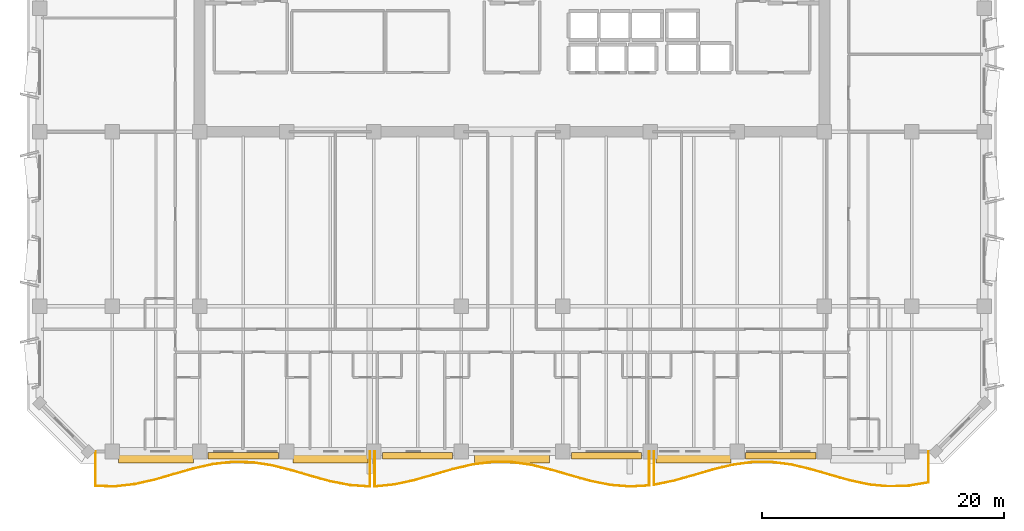
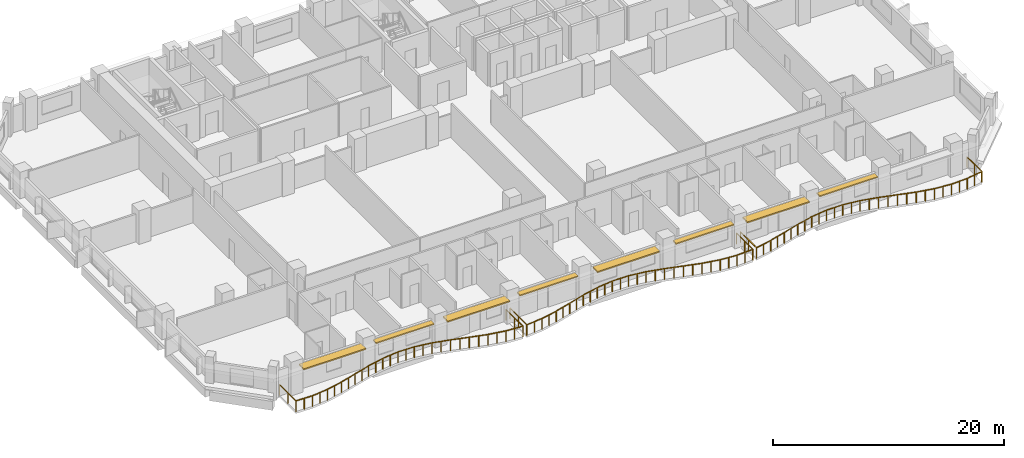
# One storey, part 11 of 15: 8 shading devices, 3 railings.
"""IFC4 building model written with IfcOpenShell, lengths in metres."""

from ifc_helpers import new_model, si_unit, direction, frame, origin, origin_2d, place, context, subcontext, project, spatial, rectangle, extrude, material, layer, layer_set, type_object, element, save


model = new_model("IFC4")

# Units and contexts
model_context = context("Model", 3, precision=1e-05, world=origin(), true_north=direction((0.0, 1.0)))
body_context = subcontext(model_context, "Body", "Model", "MODEL_VIEW")
ifc_project = project(units=[si_unit("LENGTHUNIT", "METRE"), si_unit("AREAUNIT", "SQUARE_METRE"), si_unit("VOLUMEUNIT", "CUBIC_METRE"), si_unit("PLANEANGLEUNIT", "RADIAN"), si_unit("MASSUNIT", "GRAM", prefix="KILO")], contexts=[model_context])

# Site, building, storey
site_placement = place(None, origin())
site = spatial("IfcSite", under=ifc_project, at=site_placement, CompositionType="ELEMENT")
building_placement = place(site_placement, origin())
building = spatial("IfcBuilding", under=site, at=building_placement, Name="Kaelvorn Grand Hotel", CompositionType="ELEMENT")
storey_placement = place(building_placement, frame((0.0, 0.0, 139.14990234375)))
storey = spatial("IfcBuildingStorey", under=building, at=storey_placement, Name="L33", CompositionType="ELEMENT", Elevation=139.14990234375)

# Railings
ifc_material_1 = material(Name="Stainless Steel", Category="steel")
railing_type = type_object("IfcRailingType", Name="RL-BALC-1150", PredefinedType="BALUSTRADE", material=ifc_material_1)
railing_1_placement = place(storey_placement, frame((7.60009765625, 3.0, 0.0)))
element("IfcRailing", 1, at=railing_1_placement, inside=storey, type_object=railing_type, Name="L33 Scalloped Wave Balcony Balustrade GR1-1", PredefinedType="BALUSTRADE", context=body_context, shape_type="SweptSolid", body=[
    extrude(rectangle(XDim=0.048095703125, YDim=0.048095703125, at=origin_2d()), frame((0.0, 0.0, 1.1259765625), z_axis=(0.0, -1.0, 0.0), x_axis=(1.0, 0.0, 0.0)), (0.0, 0.0, 1.0), 2.849853515625),
    extrude(rectangle(XDim=0.048095703125, YDim=0.048095703125, at=origin_2d()), frame((0.0, -2.849853515625, 1.1259765625), z_axis=(0.999730426156, -0.023217989086, 0.0), x_axis=(0.023217989086, 0.999730426156, 0.0)), (0.0, 0.0, 1.0), 1.619384765625),
    extrude(rectangle(XDim=0.048095703125, YDim=0.048095703125, at=origin_2d()), frame((1.618896484375, -2.887451171875, 1.1259765625), z_axis=(0.993682951912, 0.112223843634, 0.0), x_axis=(-0.112223843634, 0.993682951912, 0.0)), (0.0, 0.0, 1.0), 1.62939453125),
    extrude(rectangle(XDim=0.048095703125, YDim=0.048095703125, at=origin_2d()), frame((3.238037109375, -2.70458984375, 1.1259765625), z_axis=(0.975703414812, 0.219095518723, 0.0), x_axis=(-0.219095518723, 0.975703414812, 0.0)), (0.0, 0.0, 1.0), 1.6591796875),
    extrude(rectangle(XDim=0.048095703125, YDim=0.048095703125, at=origin_2d()), frame((4.85693359375, -2.341064453125, 1.1259765625), z_axis=(0.961173148549, 0.275945970271, 0.0), x_axis=(-0.275945970271, 0.961173148549, 0.0)), (0.0, 0.0, 1.0), 1.6845703125),
    extrude(rectangle(XDim=0.048095703125, YDim=0.048095703125, at=origin_2d()), frame((6.47607421875, -1.876220703125, 1.1259765625), z_axis=(0.961096237506, 0.276213725676, 0.0), x_axis=(-0.276213725676, 0.961096237506, 0.0)), (0.0, 0.0, 1.0), 1.6845703125),
    extrude(rectangle(XDim=0.048095703125, YDim=0.048095703125, at=origin_2d()), frame((8.09521484375, -1.410888671875, 1.1259765625), z_axis=(0.975640468592, 0.219375650531, 0.0), x_axis=(-0.219375650531, 0.975640468592, 0.0)), (0.0, 0.0, 1.0), 1.659423828125),
    extrude(rectangle(XDim=0.048095703125, YDim=0.048095703125, at=origin_2d()), frame((9.714111328125, -1.046875, 1.1259765625), z_axis=(0.993615946407, 0.112815562069, 0.0), x_axis=(-0.112815562069, 0.993615946407, 0.0)), (0.0, 0.0, 1.0), 1.629638671875),
    extrude(rectangle(XDim=0.048095703125, YDim=0.048095703125, at=origin_2d()), frame((11.333251953125, -0.863037109375, 1.1259765625), z_axis=(0.999747716334, -0.022461159489, 0.0), x_axis=(0.022461159489, 0.999747716334, 0.0)), (0.0, 0.0, 1.0), 1.61962890625),
    extrude(rectangle(XDim=0.048095703125, YDim=0.048095703125, at=origin_2d()), frame((12.952392578125, -0.8994140625, 1.1259765625), z_axis=(0.988375143725, -0.152034783079, 0.0), x_axis=(0.152034783079, 0.988375143725, 0.0)), (0.0, 0.0, 1.0), 1.637939453125),
    extrude(rectangle(XDim=0.048095703125, YDim=0.048095703125, at=origin_2d()), frame((14.5712890625, -1.1484375, 1.1259765625), z_axis=(0.969797453299, -0.243911663465, 0.0), x_axis=(0.243911663465, 0.969797453299, 0.0)), (0.0, 0.0, 1.0), 1.669677734375),
    extrude(rectangle(XDim=0.048095703125, YDim=0.048095703125, at=origin_2d()), frame((16.1904296875, -1.5556640625, 1.1259765625), z_axis=(0.959298669037, -0.28239345528, 0.0), x_axis=(0.28239345528, 0.959298669037, 0.0)), (0.0, 0.0, 1.0), 1.6875),
    extrude(rectangle(XDim=0.048095703125, YDim=0.048095703125, at=origin_2d()), frame((17.809326171875, -2.0322265625, 1.1259765625), z_axis=(0.964642881797, -0.26356044961, 0.0), x_axis=(0.26356044961, 0.964642881797, 0.0)), (0.0, 0.0, 1.0), 1.678466796875),
    extrude(rectangle(XDim=0.048095703125, YDim=0.048095703125, at=origin_2d()), frame((19.428466796875, -2.474609375, 1.1259765625), z_axis=(0.981934563665, -0.189220804036, 0.0), x_axis=(0.189220804036, 0.981934563665, 0.0)), (0.0, 0.0, 1.0), 1.64892578125),
    extrude(rectangle(XDim=0.048095703125, YDim=0.048095703125, at=origin_2d()), frame((21.047607421875, -2.78662109375, 1.1259765625), z_axis=(0.997560748311, -0.069803677758, 0.0), x_axis=(0.069803677758, 0.997560748311, 0.0)), (0.0, 0.0, 1.0), 1.622802734375),
    extrude(rectangle(XDim=0.048095703125, YDim=0.048095703125, at=origin_2d()), frame((22.66650390625, -2.89990234375, 1.1259765625), z_axis=(0.0, 1.0, 0.0), x_axis=(-1.0, 0.0, 0.0)), (0.0, 0.0, 1.0), 2.89990234375),
    extrude(rectangle(XDim=0.0419921875, YDim=0.0419921875, at=origin_2d()), origin(), (0.0, 0.0, 1.0), 1.101806640625),
    extrude(rectangle(XDim=0.0419921875, YDim=0.0419921875, at=origin_2d()), frame((0.0, -1.4248046875, 0.0)), (0.0, 0.0, 1.0), 1.101806640625),
    extrude(rectangle(XDim=0.0419921875, YDim=0.0419921875, at=origin_2d()), frame((0.0, -2.849853515625, 0.0)), (0.0, 0.0, 1.0), 1.101806640625),
    extrude(rectangle(XDim=0.0419921875, YDim=0.0419921875, at=origin_2d()), frame((0.8095703125, -2.86865234375, 0.0)), (0.0, 0.0, 1.0), 1.101806640625),
    extrude(rectangle(XDim=0.0419921875, YDim=0.0419921875, at=origin_2d()), frame((1.618896484375, -2.887451171875, 0.0)), (0.0, 0.0, 1.0), 1.101806640625),
    extrude(rectangle(XDim=0.0419921875, YDim=0.0419921875, at=origin_2d()), frame((2.428466796875, -2.7958984375, 0.0)), (0.0, 0.0, 1.0), 1.101806640625),
    extrude(rectangle(XDim=0.0419921875, YDim=0.0419921875, at=origin_2d()), frame((3.238037109375, -2.70458984375, 0.0)), (0.0, 0.0, 1.0), 1.101806640625),
    extrude(rectangle(XDim=0.0419921875, YDim=0.0419921875, at=origin_2d()), frame((4.04736328125, -2.52294921875, 0.0)), (0.0, 0.0, 1.0), 1.101806640625),
    extrude(rectangle(XDim=0.0419921875, YDim=0.0419921875, at=origin_2d()), frame((4.85693359375, -2.341064453125, 0.0)), (0.0, 0.0, 1.0), 1.101806640625),
    extrude(rectangle(XDim=0.0419921875, YDim=0.0419921875, at=origin_2d()), frame((5.66650390625, -2.108642578125, 0.0)), (0.0, 0.0, 1.0), 1.101806640625),
    extrude(rectangle(XDim=0.0419921875, YDim=0.0419921875, at=origin_2d()), frame((6.47607421875, -1.876220703125, 0.0)), (0.0, 0.0, 1.0), 1.101806640625),
    extrude(rectangle(XDim=0.0419921875, YDim=0.0419921875, at=origin_2d()), frame((7.28564453125, -1.6435546875, 0.0)), (0.0, 0.0, 1.0), 1.101806640625),
    extrude(rectangle(XDim=0.0419921875, YDim=0.0419921875, at=origin_2d()), frame((8.09521484375, -1.410888671875, 0.0)), (0.0, 0.0, 1.0), 1.101806640625),
    extrude(rectangle(XDim=0.0419921875, YDim=0.0419921875, at=origin_2d()), frame((8.90478515625, -1.22900390625, 0.0)), (0.0, 0.0, 1.0), 1.101806640625),
    extrude(rectangle(XDim=0.0419921875, YDim=0.0419921875, at=origin_2d()), frame((9.714111328125, -1.046875, 0.0)), (0.0, 0.0, 1.0), 1.101806640625),
    extrude(rectangle(XDim=0.0419921875, YDim=0.0419921875, at=origin_2d()), frame((10.523681640625, -0.955078125, 0.0)), (0.0, 0.0, 1.0), 1.101806640625),
    extrude(rectangle(XDim=0.0419921875, YDim=0.0419921875, at=origin_2d()), frame((11.333251953125, -0.863037109375, 0.0)), (0.0, 0.0, 1.0), 1.101806640625),
    extrude(rectangle(XDim=0.0419921875, YDim=0.0419921875, at=origin_2d()), frame((12.142822265625, -0.88134765625, 0.0)), (0.0, 0.0, 1.0), 1.101806640625),
    extrude(rectangle(XDim=0.0419921875, YDim=0.0419921875, at=origin_2d()), frame((12.952392578125, -0.8994140625, 0.0)), (0.0, 0.0, 1.0), 1.101806640625),
    extrude(rectangle(XDim=0.0419921875, YDim=0.0419921875, at=origin_2d()), frame((13.76171875, -1.02392578125, 0.0)), (0.0, 0.0, 1.0), 1.101806640625),
    extrude(rectangle(XDim=0.0419921875, YDim=0.0419921875, at=origin_2d()), frame((14.5712890625, -1.1484375, 0.0)), (0.0, 0.0, 1.0), 1.101806640625),
    extrude(rectangle(XDim=0.0419921875, YDim=0.0419921875, at=origin_2d()), frame((15.380859375, -1.35205078125, 0.0)), (0.0, 0.0, 1.0), 1.101806640625),
    extrude(rectangle(XDim=0.0419921875, YDim=0.0419921875, at=origin_2d()), frame((16.1904296875, -1.5556640625, 0.0)), (0.0, 0.0, 1.0), 1.101806640625),
    extrude(rectangle(XDim=0.0419921875, YDim=0.0419921875, at=origin_2d()), frame((17.0, -1.7939453125, 0.0)), (0.0, 0.0, 1.0), 1.101806640625),
    extrude(rectangle(XDim=0.0419921875, YDim=0.0419921875, at=origin_2d()), frame((17.809326171875, -2.0322265625, 0.0)), (0.0, 0.0, 1.0), 1.101806640625),
    extrude(rectangle(XDim=0.0419921875, YDim=0.0419921875, at=origin_2d()), frame((18.618896484375, -2.25341796875, 0.0)), (0.0, 0.0, 1.0), 1.101806640625),
    extrude(rectangle(XDim=0.0419921875, YDim=0.0419921875, at=origin_2d()), frame((19.428466796875, -2.474609375, 0.0)), (0.0, 0.0, 1.0), 1.101806640625),
    extrude(rectangle(XDim=0.0419921875, YDim=0.0419921875, at=origin_2d()), frame((20.238037109375, -2.630615234375, 0.0)), (0.0, 0.0, 1.0), 1.101806640625),
    extrude(rectangle(XDim=0.0419921875, YDim=0.0419921875, at=origin_2d()), frame((21.047607421875, -2.78662109375, 0.0)), (0.0, 0.0, 1.0), 1.101806640625),
    extrude(rectangle(XDim=0.0419921875, YDim=0.0419921875, at=origin_2d()), frame((21.85693359375, -2.84326171875, 0.0)), (0.0, 0.0, 1.0), 1.101806640625),
    extrude(rectangle(XDim=0.0419921875, YDim=0.0419921875, at=origin_2d()), frame((22.66650390625, -2.89990234375, 0.0)), (0.0, 0.0, 1.0), 1.101806640625),
    extrude(rectangle(XDim=0.0419921875, YDim=0.0419921875, at=origin_2d()), frame((22.66650390625, -1.449951171875, 0.0)), (0.0, 0.0, 1.0), 1.101806640625),
    extrude(rectangle(XDim=0.0419921875, YDim=0.0419921875, at=origin_2d()), frame((22.66650390625, 0.0, 0.0)), (0.0, 0.0, 1.0), 1.101806640625),
])
railing_2_placement = place(storey_placement, frame((30.666748046875, 3.0, 0.0)))
element("IfcRailing", 2, at=railing_2_placement, inside=storey, type_object=railing_type, Name="L33 Scalloped Wave Balcony Balustrade GR1-2", PredefinedType="BALUSTRADE", context=body_context, shape_type="SweptSolid", body=[
    extrude(rectangle(XDim=0.048095703125, YDim=0.048095703125, at=origin_2d()), frame((0.0, 0.0, 1.1259765625), z_axis=(0.0, -1.0, 0.0), x_axis=(1.0, 0.0, 0.0)), (0.0, 0.0, 1.0), 2.8935546875),
    extrude(rectangle(XDim=0.048095703125, YDim=0.048095703125, at=origin_2d()), frame((0.0, -2.8935546875, 1.1259765625), z_axis=(0.994964128671, 0.100231644994, 0.0), x_axis=(-0.100231644994, 0.994964128671, 0.0)), (0.0, 0.0, 1.0), 1.627197265625),
    extrude(rectangle(XDim=0.048095703125, YDim=0.048095703125, at=origin_2d()), frame((1.618896484375, -2.73046875, 1.1259765625), z_axis=(0.977503767455, 0.210917957061, 0.0), x_axis=(-0.210917957061, 0.977503767455, 0.0)), (0.0, 0.0, 1.0), 1.656494140625),
    extrude(rectangle(XDim=0.048095703125, YDim=0.048095703125, at=origin_2d()), frame((3.238037109375, -2.381103515625, 1.1259765625), z_axis=(0.962015046514, 0.272996429062, 0.0), x_axis=(-0.272996429062, 0.962015046514, 0.0)), (0.0, 0.0, 1.0), 1.68310546875),
    extrude(rectangle(XDim=0.048095703125, YDim=0.048095703125, at=origin_2d()), frame((4.857177734375, -1.921630859375, 1.1259765625), z_axis=(0.960389998509, 0.278659381259, 0.0), x_axis=(-0.278659381259, 0.960389998509, 0.0)), (0.0, 0.0, 1.0), 1.685546875),
    extrude(rectangle(XDim=0.048095703125, YDim=0.048095703125, at=origin_2d()), frame((6.47607421875, -1.451904296875, 1.1259765625), z_axis=(0.97385637145, 0.227164627056, 0.0), x_axis=(-0.227164627056, 0.97385637145, 0.0)), (0.0, 0.0, 1.0), 1.66259765625),
    extrude(rectangle(XDim=0.048095703125, YDim=0.048095703125, at=origin_2d()), frame((8.09521484375, -1.07421875, 1.1259765625), z_axis=(0.992220218526, 0.124495132229, 0.0), x_axis=(-0.124495132229, 0.992220218526, 0.0)), (0.0, 0.0, 1.0), 1.631591796875),
    extrude(rectangle(XDim=0.048095703125, YDim=0.048095703125, at=origin_2d()), frame((9.714111328125, -0.87109375, 1.1259765625), z_axis=(0.999954883783, -0.009498968287, 0.0), x_axis=(0.009498968287, 0.999954883783, 0.0)), (0.0, 0.0, 1.0), 1.619140625),
    extrude(rectangle(XDim=0.048095703125, YDim=0.048095703125, at=origin_2d()), frame((11.333251953125, -0.886474609375, 1.1259765625), z_axis=(0.990000183839, -0.141066069621, 0.0), x_axis=(0.141066069621, 0.990000183839, 0.0)), (0.0, 0.0, 1.0), 1.635498046875),
    extrude(rectangle(XDim=0.048095703125, YDim=0.048095703125, at=origin_2d()), frame((12.952392578125, -1.1171875, 1.1259765625), z_axis=(0.971429786171, -0.237327138229, 0.0), x_axis=(0.237327138229, 0.971429786171, 0.0)), (0.0, 0.0, 1.0), 1.66650390625),
    extrude(rectangle(XDim=0.048095703125, YDim=0.048095703125, at=origin_2d()), frame((14.5712890625, -1.5126953125, 1.1259765625), z_axis=(0.959623156728, -0.281288814337, 0.0), x_axis=(0.281288814337, 0.959623156728, 0.0)), (0.0, 0.0, 1.0), 1.687255859375),
    extrude(rectangle(XDim=0.048095703125, YDim=0.048095703125, at=origin_2d()), frame((16.1904296875, -1.9873046875, 1.1259765625), z_axis=(0.963478347778, -0.267786245657, 0.0), x_axis=(0.267786245657, 0.963478347778, 0.0)), (0.0, 0.0, 1.0), 1.68017578125),
    extrude(rectangle(XDim=0.048095703125, YDim=0.048095703125, at=origin_2d()), frame((17.809326171875, -2.437255859375, 1.1259765625), z_axis=(0.980134803691, -0.1983324648, 0.0), x_axis=(0.1983324648, 0.980134803691, 0.0)), (0.0, 0.0, 1.0), 1.65185546875),
    extrude(rectangle(XDim=0.048095703125, YDim=0.048095703125, at=origin_2d()), frame((19.428466796875, -2.764892578125, 1.1259765625), z_axis=(0.996591207216, -0.082498276954, 0.0), x_axis=(0.082498276954, 0.996591207216, 0.0)), (0.0, 0.0, 1.0), 1.624755859375),
    extrude(rectangle(XDim=0.048095703125, YDim=0.048095703125, at=origin_2d()), frame((21.047607421875, -2.89892578125, 1.1259765625), z_axis=(0.998488486101, 0.054961287502, 0.0), x_axis=(-0.054961287502, 0.998488486101, 0.0)), (0.0, 0.0, 1.0), 1.621337890625),
    extrude(rectangle(XDim=0.048095703125, YDim=0.048095703125, at=origin_2d()), frame((22.66650390625, -2.809814453125, 1.1259765625), z_axis=(0.0, 1.0, 0.0), x_axis=(-1.0, 0.0, 0.0)), (0.0, 0.0, 1.0), 2.809814453125),
    extrude(rectangle(XDim=0.0419921875, YDim=0.0419921875, at=origin_2d()), origin(), (0.0, 0.0, 1.0), 1.101806640625),
    extrude(rectangle(XDim=0.0419921875, YDim=0.0419921875, at=origin_2d()), frame((0.0, -1.44677734375, 0.0)), (0.0, 0.0, 1.0), 1.101806640625),
    extrude(rectangle(XDim=0.0419921875, YDim=0.0419921875, at=origin_2d()), frame((0.0, -2.8935546875, 0.0)), (0.0, 0.0, 1.0), 1.101806640625),
    extrude(rectangle(XDim=0.0419921875, YDim=0.0419921875, at=origin_2d()), frame((0.8095703125, -2.81201171875, 0.0)), (0.0, 0.0, 1.0), 1.101806640625),
    extrude(rectangle(XDim=0.0419921875, YDim=0.0419921875, at=origin_2d()), frame((1.618896484375, -2.73046875, 0.0)), (0.0, 0.0, 1.0), 1.101806640625),
    extrude(rectangle(XDim=0.0419921875, YDim=0.0419921875, at=origin_2d()), frame((2.428466796875, -2.5556640625, 0.0)), (0.0, 0.0, 1.0), 1.101806640625),
    extrude(rectangle(XDim=0.0419921875, YDim=0.0419921875, at=origin_2d()), frame((3.238037109375, -2.381103515625, 0.0)), (0.0, 0.0, 1.0), 1.101806640625),
    extrude(rectangle(XDim=0.0419921875, YDim=0.0419921875, at=origin_2d()), frame((4.047607421875, -2.1513671875, 0.0)), (0.0, 0.0, 1.0), 1.101806640625),
    extrude(rectangle(XDim=0.0419921875, YDim=0.0419921875, at=origin_2d()), frame((4.857177734375, -1.921630859375, 0.0)), (0.0, 0.0, 1.0), 1.101806640625),
    extrude(rectangle(XDim=0.0419921875, YDim=0.0419921875, at=origin_2d()), frame((5.66650390625, -1.686767578125, 0.0)), (0.0, 0.0, 1.0), 1.101806640625),
    extrude(rectangle(XDim=0.0419921875, YDim=0.0419921875, at=origin_2d()), frame((6.47607421875, -1.451904296875, 0.0)), (0.0, 0.0, 1.0), 1.101806640625),
    extrude(rectangle(XDim=0.0419921875, YDim=0.0419921875, at=origin_2d()), frame((7.28564453125, -1.26318359375, 0.0)), (0.0, 0.0, 1.0), 1.101806640625),
    extrude(rectangle(XDim=0.0419921875, YDim=0.0419921875, at=origin_2d()), frame((8.09521484375, -1.07421875, 0.0)), (0.0, 0.0, 1.0), 1.101806640625),
    extrude(rectangle(XDim=0.0419921875, YDim=0.0419921875, at=origin_2d()), frame((8.90478515625, -0.97265625, 0.0)), (0.0, 0.0, 1.0), 1.101806640625),
    extrude(rectangle(XDim=0.0419921875, YDim=0.0419921875, at=origin_2d()), frame((9.714111328125, -0.87109375, 0.0)), (0.0, 0.0, 1.0), 1.101806640625),
    extrude(rectangle(XDim=0.0419921875, YDim=0.0419921875, at=origin_2d()), frame((10.523681640625, -0.87890625, 0.0)), (0.0, 0.0, 1.0), 1.101806640625),
    extrude(rectangle(XDim=0.0419921875, YDim=0.0419921875, at=origin_2d()), frame((11.333251953125, -0.886474609375, 0.0)), (0.0, 0.0, 1.0), 1.101806640625),
    extrude(rectangle(XDim=0.0419921875, YDim=0.0419921875, at=origin_2d()), frame((12.142822265625, -1.001953125, 0.0)), (0.0, 0.0, 1.0), 1.101806640625),
    extrude(rectangle(XDim=0.0419921875, YDim=0.0419921875, at=origin_2d()), frame((12.952392578125, -1.1171875, 0.0)), (0.0, 0.0, 1.0), 1.101806640625),
    extrude(rectangle(XDim=0.0419921875, YDim=0.0419921875, at=origin_2d()), frame((13.76171875, -1.31494140625, 0.0)), (0.0, 0.0, 1.0), 1.101806640625),
    extrude(rectangle(XDim=0.0419921875, YDim=0.0419921875, at=origin_2d()), frame((14.5712890625, -1.5126953125, 0.0)), (0.0, 0.0, 1.0), 1.101806640625),
    extrude(rectangle(XDim=0.0419921875, YDim=0.0419921875, at=origin_2d()), frame((15.380859375, -1.75, 0.0)), (0.0, 0.0, 1.0), 1.101806640625),
    extrude(rectangle(XDim=0.0419921875, YDim=0.0419921875, at=origin_2d()), frame((16.1904296875, -1.9873046875, 0.0)), (0.0, 0.0, 1.0), 1.101806640625),
    extrude(rectangle(XDim=0.0419921875, YDim=0.0419921875, at=origin_2d()), frame((17.0, -2.21240234375, 0.0)), (0.0, 0.0, 1.0), 1.101806640625),
    extrude(rectangle(XDim=0.0419921875, YDim=0.0419921875, at=origin_2d()), frame((17.809326171875, -2.437255859375, 0.0)), (0.0, 0.0, 1.0), 1.101806640625),
    extrude(rectangle(XDim=0.0419921875, YDim=0.0419921875, at=origin_2d()), frame((18.618896484375, -2.60107421875, 0.0)), (0.0, 0.0, 1.0), 1.101806640625),
    extrude(rectangle(XDim=0.0419921875, YDim=0.0419921875, at=origin_2d()), frame((19.428466796875, -2.764892578125, 0.0)), (0.0, 0.0, 1.0), 1.101806640625),
    extrude(rectangle(XDim=0.0419921875, YDim=0.0419921875, at=origin_2d()), frame((20.238037109375, -2.83203125, 0.0)), (0.0, 0.0, 1.0), 1.101806640625),
    extrude(rectangle(XDim=0.0419921875, YDim=0.0419921875, at=origin_2d()), frame((21.047607421875, -2.89892578125, 0.0)), (0.0, 0.0, 1.0), 1.101806640625),
    extrude(rectangle(XDim=0.0419921875, YDim=0.0419921875, at=origin_2d()), frame((21.85693359375, -2.8544921875, 0.0)), (0.0, 0.0, 1.0), 1.101806640625),
    extrude(rectangle(XDim=0.0419921875, YDim=0.0419921875, at=origin_2d()), frame((22.66650390625, -2.809814453125, 0.0)), (0.0, 0.0, 1.0), 1.101806640625),
    extrude(rectangle(XDim=0.0419921875, YDim=0.0419921875, at=origin_2d()), frame((22.66650390625, -1.40478515625, 0.0)), (0.0, 0.0, 1.0), 1.101806640625),
    extrude(rectangle(XDim=0.0419921875, YDim=0.0419921875, at=origin_2d()), frame((22.66650390625, 0.0, 0.0)), (0.0, 0.0, 1.0), 1.101806640625),
])
railing_3_placement = place(storey_placement, frame((53.7333984375, 3.0, 0.0)))
element("IfcRailing", 3, at=railing_3_placement, inside=storey, type_object=railing_type, Name="L33 Scalloped Wave Balcony Balustrade GR1-3", PredefinedType="BALUSTRADE", context=body_context, shape_type="SweptSolid", body=[
    extrude(rectangle(XDim=0.048095703125, YDim=0.048095703125, at=origin_2d()), frame((0.0, 0.0, 1.1259765625), z_axis=(0.0, -1.0, 0.0), x_axis=(1.0, 0.0, 0.0)), (0.0, 0.0, 1.0), 2.754638671875),
    extrude(rectangle(XDim=0.048095703125, YDim=0.048095703125, at=origin_2d()), frame((0.0, -2.754638671875, 1.1259765625), z_axis=(0.979316964053, 0.202332112917, 0.0), x_axis=(-0.202332112917, 0.979316964053, 0.0)), (0.0, 0.0, 1.0), 1.653076171875),
    extrude(rectangle(XDim=0.048095703125, YDim=0.048095703125, at=origin_2d()), frame((1.618896484375, -2.420166015625, 1.1259765625), z_axis=(0.962962511693, 0.269635311251, 0.0), x_axis=(-0.269635311251, 0.962962511693, 0.0)), (0.0, 0.0, 1.0), 1.681396484375),
    extrude(rectangle(XDim=0.048095703125, YDim=0.048095703125, at=origin_2d()), frame((3.238037109375, -1.966796875, 1.1259765625), z_axis=(0.959857228362, 0.280489039289, 0.0), x_axis=(-0.280489039289, 0.959857228362, 0.0)), (0.0, 0.0, 1.0), 1.686767578125),
    extrude(rectangle(XDim=0.048095703125, YDim=0.048095703125, at=origin_2d()), frame((4.857177734375, -1.49365234375, 1.1259765625), z_axis=(0.972168625769, 0.234282229525, 0.0), x_axis=(-0.234282229525, 0.972168625769, 0.0)), (0.0, 0.0, 1.0), 1.665283203125),
    extrude(rectangle(XDim=0.048095703125, YDim=0.048095703125, at=origin_2d()), frame((6.47607421875, -1.103515625, 1.1259765625), z_axis=(0.99071710319, 0.135939771397, 0.0), x_axis=(-0.135939771397, 0.99071710319, 0.0)), (0.0, 0.0, 1.0), 1.63427734375),
    extrude(rectangle(XDim=0.048095703125, YDim=0.048095703125, at=origin_2d()), frame((8.09521484375, -0.88134765625, 1.1259765625), z_axis=(0.999993450168, 0.003619339889, 0.0), x_axis=(-0.003619339889, 0.999993450168, 0.0)), (0.0, 0.0, 1.0), 1.618896484375),
    extrude(rectangle(XDim=0.048095703125, YDim=0.048095703125, at=origin_2d()), frame((9.714111328125, -0.87548828125, 1.1259765625), z_axis=(0.991562852546, -0.129626808377, 0.0), x_axis=(0.129626808377, 0.991562852546, 0.0)), (0.0, 0.0, 1.0), 1.6328125),
    extrude(rectangle(XDim=0.048095703125, YDim=0.048095703125, at=origin_2d()), frame((11.333251953125, -1.087158203125, 1.1259765625), z_axis=(0.973071627699, -0.230502944378, 0.0), x_axis=(0.230502944378, 0.973071627699, 0.0)), (0.0, 0.0, 1.0), 1.6640625),
    extrude(rectangle(XDim=0.048095703125, YDim=0.048095703125, at=origin_2d()), frame((12.952392578125, -1.470703125, 1.1259765625), z_axis=(0.960157157306, -0.279460611311, 0.0), x_axis=(0.279460611311, 0.960157157306, 0.0)), (0.0, 0.0, 1.0), 1.68603515625),
    extrude(rectangle(XDim=0.048095703125, YDim=0.048095703125, at=origin_2d()), frame((14.5712890625, -1.94189453125, 1.1259765625), z_axis=(0.962433147184, -0.271518760311, 0.0), x_axis=(0.271518760311, 0.962433147184, 0.0)), (0.0, 0.0, 1.0), 1.682373046875),
    extrude(rectangle(XDim=0.048095703125, YDim=0.048095703125, at=origin_2d()), frame((16.1904296875, -2.398681640625, 1.1259765625), z_axis=(0.978317525264, -0.207110646181, 0.0), x_axis=(0.207110646181, 0.978317525264, 0.0)), (0.0, 0.0, 1.0), 1.655029296875),
    extrude(rectangle(XDim=0.048095703125, YDim=0.048095703125, at=origin_2d()), frame((17.8095703125, -2.741455078125, 1.1259765625), z_axis=(0.995502891633, -0.094731160401, 0.0), x_axis=(0.094731160401, 0.995502891633, 0.0)), (0.0, 0.0, 1.0), 1.626220703125),
    extrude(rectangle(XDim=0.048095703125, YDim=0.048095703125, at=origin_2d()), frame((19.428466796875, -2.8955078125, 1.1259765625), z_axis=(0.999116282636, 0.042031580648, 0.0), x_axis=(-0.042031580648, 0.999116282636, 0.0)), (0.0, 0.0, 1.0), 1.62060546875),
    extrude(rectangle(XDim=0.048095703125, YDim=0.048095703125, at=origin_2d()), frame((21.047607421875, -2.827392578125, 1.1259765625), z_axis=(0.985837909177, 0.167700974446, 0.0), x_axis=(-0.167700974446, 0.985837909177, 0.0)), (0.0, 0.0, 1.0), 1.64208984375),
    extrude(rectangle(XDim=0.048095703125, YDim=0.048095703125, at=origin_2d()), frame((22.66650390625, -2.552001953125, 1.1259765625), z_axis=(0.0, 1.0, 0.0), x_axis=(-1.0, 0.0, 0.0)), (0.0, 0.0, 1.0), 2.552001953125),
    extrude(rectangle(XDim=0.0419921875, YDim=0.0419921875, at=origin_2d()), origin(), (0.0, 0.0, 1.0), 1.101806640625),
    extrude(rectangle(XDim=0.0419921875, YDim=0.0419921875, at=origin_2d()), frame((0.0, -1.37744140625, 0.0)), (0.0, 0.0, 1.0), 1.101806640625),
    extrude(rectangle(XDim=0.0419921875, YDim=0.0419921875, at=origin_2d()), frame((0.0, -2.754638671875, 0.0)), (0.0, 0.0, 1.0), 1.101806640625),
    extrude(rectangle(XDim=0.0419921875, YDim=0.0419921875, at=origin_2d()), frame((0.8095703125, -2.58740234375, 0.0)), (0.0, 0.0, 1.0), 1.101806640625),
    extrude(rectangle(XDim=0.0419921875, YDim=0.0419921875, at=origin_2d()), frame((1.618896484375, -2.420166015625, 0.0)), (0.0, 0.0, 1.0), 1.101806640625),
    extrude(rectangle(XDim=0.0419921875, YDim=0.0419921875, at=origin_2d()), frame((2.428466796875, -2.193359375, 0.0)), (0.0, 0.0, 1.0), 1.101806640625),
    extrude(rectangle(XDim=0.0419921875, YDim=0.0419921875, at=origin_2d()), frame((3.238037109375, -1.966796875, 0.0)), (0.0, 0.0, 1.0), 1.101806640625),
    extrude(rectangle(XDim=0.0419921875, YDim=0.0419921875, at=origin_2d()), frame((4.047607421875, -1.730224609375, 0.0)), (0.0, 0.0, 1.0), 1.101806640625),
    extrude(rectangle(XDim=0.0419921875, YDim=0.0419921875, at=origin_2d()), frame((4.857177734375, -1.49365234375, 0.0)), (0.0, 0.0, 1.0), 1.101806640625),
    extrude(rectangle(XDim=0.0419921875, YDim=0.0419921875, at=origin_2d()), frame((5.66650390625, -1.298583984375, 0.0)), (0.0, 0.0, 1.0), 1.101806640625),
    extrude(rectangle(XDim=0.0419921875, YDim=0.0419921875, at=origin_2d()), frame((6.47607421875, -1.103515625, 0.0)), (0.0, 0.0, 1.0), 1.101806640625),
    extrude(rectangle(XDim=0.0419921875, YDim=0.0419921875, at=origin_2d()), frame((7.28564453125, -0.992431640625, 0.0)), (0.0, 0.0, 1.0), 1.101806640625),
    extrude(rectangle(XDim=0.0419921875, YDim=0.0419921875, at=origin_2d()), frame((8.09521484375, -0.88134765625, 0.0)), (0.0, 0.0, 1.0), 1.101806640625),
    extrude(rectangle(XDim=0.0419921875, YDim=0.0419921875, at=origin_2d()), frame((8.90478515625, -0.87841796875, 0.0)), (0.0, 0.0, 1.0), 1.101806640625),
    extrude(rectangle(XDim=0.0419921875, YDim=0.0419921875, at=origin_2d()), frame((9.714111328125, -0.87548828125, 0.0)), (0.0, 0.0, 1.0), 1.101806640625),
    extrude(rectangle(XDim=0.0419921875, YDim=0.0419921875, at=origin_2d()), frame((10.523681640625, -0.9814453125, 0.0)), (0.0, 0.0, 1.0), 1.101806640625),
    extrude(rectangle(XDim=0.0419921875, YDim=0.0419921875, at=origin_2d()), frame((11.333251953125, -1.087158203125, 0.0)), (0.0, 0.0, 1.0), 1.101806640625),
    extrude(rectangle(XDim=0.0419921875, YDim=0.0419921875, at=origin_2d()), frame((12.142822265625, -1.27880859375, 0.0)), (0.0, 0.0, 1.0), 1.101806640625),
    extrude(rectangle(XDim=0.0419921875, YDim=0.0419921875, at=origin_2d()), frame((12.952392578125, -1.470703125, 0.0)), (0.0, 0.0, 1.0), 1.101806640625),
    extrude(rectangle(XDim=0.0419921875, YDim=0.0419921875, at=origin_2d()), frame((13.76171875, -1.706298828125, 0.0)), (0.0, 0.0, 1.0), 1.101806640625),
    extrude(rectangle(XDim=0.0419921875, YDim=0.0419921875, at=origin_2d()), frame((14.5712890625, -1.94189453125, 0.0)), (0.0, 0.0, 1.0), 1.101806640625),
    extrude(rectangle(XDim=0.0419921875, YDim=0.0419921875, at=origin_2d()), frame((15.380859375, -2.17041015625, 0.0)), (0.0, 0.0, 1.0), 1.101806640625),
    extrude(rectangle(XDim=0.0419921875, YDim=0.0419921875, at=origin_2d()), frame((16.1904296875, -2.398681640625, 0.0)), (0.0, 0.0, 1.0), 1.101806640625),
    extrude(rectangle(XDim=0.0419921875, YDim=0.0419921875, at=origin_2d()), frame((17.0, -2.570068359375, 0.0)), (0.0, 0.0, 1.0), 1.101806640625),
    extrude(rectangle(XDim=0.0419921875, YDim=0.0419921875, at=origin_2d()), frame((17.8095703125, -2.741455078125, 0.0)), (0.0, 0.0, 1.0), 1.101806640625),
    extrude(rectangle(XDim=0.0419921875, YDim=0.0419921875, at=origin_2d()), frame((18.619140625, -2.818359375, 0.0)), (0.0, 0.0, 1.0), 1.101806640625),
    extrude(rectangle(XDim=0.0419921875, YDim=0.0419921875, at=origin_2d()), frame((19.428466796875, -2.8955078125, 0.0)), (0.0, 0.0, 1.0), 1.101806640625),
    extrude(rectangle(XDim=0.0419921875, YDim=0.0419921875, at=origin_2d()), frame((20.238037109375, -2.861328125, 0.0)), (0.0, 0.0, 1.0), 1.101806640625),
    extrude(rectangle(XDim=0.0419921875, YDim=0.0419921875, at=origin_2d()), frame((21.047607421875, -2.827392578125, 0.0)), (0.0, 0.0, 1.0), 1.101806640625),
    extrude(rectangle(XDim=0.0419921875, YDim=0.0419921875, at=origin_2d()), frame((21.85693359375, -2.689697265625, 0.0)), (0.0, 0.0, 1.0), 1.101806640625),
    extrude(rectangle(XDim=0.0419921875, YDim=0.0419921875, at=origin_2d()), frame((22.66650390625, -2.552001953125, 0.0)), (0.0, 0.0, 1.0), 1.101806640625),
    extrude(rectangle(XDim=0.0419921875, YDim=0.0419921875, at=origin_2d()), frame((22.66650390625, -1.27587890625, 0.0)), (0.0, 0.0, 1.0), 1.101806640625),
    extrude(rectangle(XDim=0.0419921875, YDim=0.0419921875, at=origin_2d()), frame((22.66650390625, 0.0, 0.0)), (0.0, 0.0, 1.0), 1.101806640625),
])

# Shading devices
ifc_material_2 = material(Name="Precast concrete C45/55", Category="concrete")
ifc_layer_1 = layer(ifc_material_2, 0.1201171875)
ifc_layer_set_1 = layer_set([ifc_layer_1], Name="Precast concrete C45/55")
shading_device_type_1 = type_object("IfcShadingDeviceType", Name="SHD-SUNSHADE-550", PredefinedType="USERDEFINED", material=ifc_layer_set_1)
for number, where, z_axis, x_axis, name in (
    (4, (19.800048828125, 2.64501953125, 2.56005859375), (0.0, 0.0, 1.0), (1.0, 0.0, 0.0), "L33 Horizontal Concrete Sunshade Band SS-03"),
    (5, (34.199951171875, 2.64501953125, 2.56005859375), (0.0, 0.0, 1.0), (1.0, 0.0, 0.0), "L33 Horizontal Concrete Sunshade Band SS-05"),
    (6, (49.800048828125, 2.64501953125, 2.56005859375), (0.0, 0.0, 1.0), (1.0, 0.0, 0.0), "L33 Horizontal Concrete Sunshade Band SS-07"),
    (7, (64.199951171875, 2.64501953125, 2.56005859375), (0.0, 0.0, 1.0), (1.0, 0.0, 0.0), "L33 Horizontal Concrete Sunshade Band SS-09"),
):
    element("IfcShadingDevice", number, at=place(storey_placement, frame(where, z_axis=z_axis, x_axis=x_axis)), inside=storey, type_object=shading_device_type_1, Name=name, ObjectType="SUNSHADE", PredefinedType="USERDEFINED", context=body_context, shape_type="SweptSolid", body=[
        extrude(rectangle(XDim=5.800048828125, YDim=0.550048828125, at=origin_2d()), origin(), (0.0, 0.0, 1.0), 0.1201171875),
    ])
ifc_layer_2 = layer(ifc_material_2, 0.139892578125)
ifc_layer_set_2 = layer_set([ifc_layer_2], Name="Precast concrete C45/55")
shading_device_type_2 = type_object("IfcShadingDeviceType", Name="SHD-SUNSHADE-850", PredefinedType="USERDEFINED", material=ifc_layer_set_2)
for number, where, z_axis, x_axis, name in (
    (8, (12.60009765625, 2.4951171875, 2.55029296875), (0.0, 0.0, 1.0), (1.0, 0.0, 0.0), "L33 Horizontal Concrete Sunshade Band SS-02"),
    (9, (27.0, 2.4951171875, 2.55029296875), (0.0, 0.0, 1.0), (1.0, 0.0, 0.0), "L33 Horizontal Concrete Sunshade Band SS-04"),
    (10, (42.0, 2.4951171875, 2.55029296875), (0.0, 0.0, 1.0), (1.0, 0.0, 0.0), "L33 Horizontal Concrete Sunshade Band SS-06"),
    (11, (57.0, 2.4951171875, 2.55029296875), (0.0, 0.0, 1.0), (1.0, 0.0, 0.0), "L33 Horizontal Concrete Sunshade Band SS-08"),
):
    element("IfcShadingDevice", number, at=place(storey_placement, frame(where, z_axis=z_axis, x_axis=x_axis)), inside=storey, type_object=shading_device_type_2, Name=name, ObjectType="SUNSHADE", PredefinedType="USERDEFINED", context=body_context, shape_type="SweptSolid", body=[
        extrude(rectangle(XDim=6.199951171875, YDim=0.85009765625, at=origin_2d()), origin(), (0.0, 0.0, 1.0), 0.139892578125),
    ])

save(model, "model.ifc")
